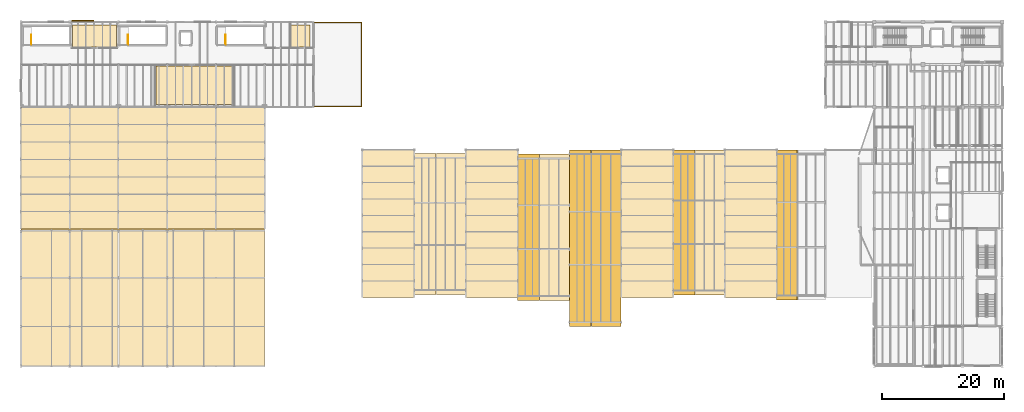
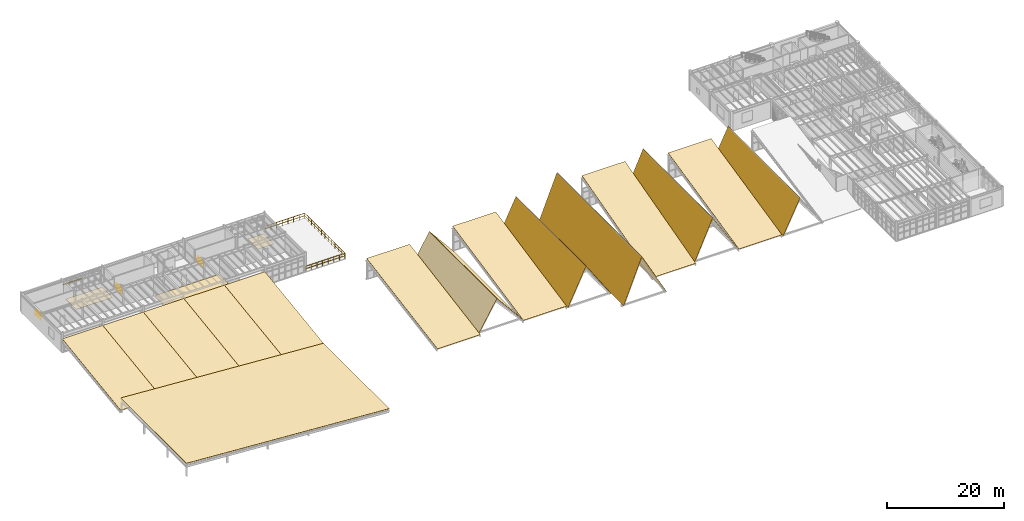
# One storey, part 75 of 77: 22 coverings, 4 railings, 1 shading device.
"""IFC4 building model written with IfcOpenShell, lengths in metres."""

from ifc_helpers import new_model, si_unit, direction, frame, origin, origin_2d, place, context, subcontext, project, spatial, polyline, rectangle, circle, outline, extrude, material, layer, layer_set, type_object, element, save


model = new_model("IFC4")

# Units and contexts
model_context = context("Model", 3, precision=1e-05, world=origin(), true_north=direction((0.0, 1.0)))
body_context = subcontext(model_context, "Body", "Model", "MODEL_VIEW")
ifc_project = project(units=[si_unit("LENGTHUNIT", "METRE"), si_unit("AREAUNIT", "SQUARE_METRE"), si_unit("VOLUMEUNIT", "CUBIC_METRE"), si_unit("PLANEANGLEUNIT", "RADIAN"), si_unit("MASSUNIT", "GRAM", prefix="KILO"), si_unit("THERMODYNAMICTEMPERATUREUNIT", "KELVIN"), si_unit("POWERUNIT", "WATT")], contexts=[model_context])

# Site, building, storey
site_placement = place(None, origin())
site = spatial("IfcSite", under=ifc_project, at=site_placement, CompositionType="ELEMENT")
building_placement = place(site_placement, origin())
building = spatial("IfcBuilding", under=site, at=building_placement, Name="Zhenchuan Central Fire Station", CompositionType="ELEMENT")
storey_placement = place(building_placement, frame((0.0, 0.0, 10.050048828125)))
storey = spatial("IfcBuildingStorey", under=building, at=storey_placement, Name="L03", CompositionType="ELEMENT", Elevation=10.050048828125)

# Coverings
ifc_material_1 = material(Name="Heavy-duty slip-resistant ceramic tile flooring")
ifc_layer_1 = layer(ifc_material_1, 0.014892578125, Name="Heavy-duty slip-resistant ceramic tile flooring")
ifc_layer_set_1 = layer_set([ifc_layer_1], Name="Heavy-duty slip-resistant ceramic tile flooring")
covering_type_1 = type_object("IfcCoveringType", Name="COV-FLR-RES", PredefinedType="FLOORING", material=ifc_layer_set_1)
covering_1_placement = place(storey_placement, origin())
element("IfcCovering", 1, at=covering_1_placement, inside=storey, type_object=covering_type_1, Name="Physical Conditioning Studio Ceramic Tile Flooring", PredefinedType="FLOORING", context=body_context, shape_type="SweptSolid", body=[
    extrude(outline(polyline([(22.14990234375, 42.949951171875), (34.85009765625, 42.949951171875), (34.85009765625, 49.25), (22.14990234375, 49.25), (22.14990234375, 42.949951171875)])), origin(), (0.0, 0.0, 1.0), 0.014892578125),
])
covering_2_placement = place(storey_placement, origin())
element("IfcCovering", 2, at=covering_2_placement, inside=storey, type_object=covering_type_1, Name="Occupational Physiotherapy Room Ceramic Tile Flooring", PredefinedType="FLOORING", context=body_context, shape_type="SweptSolid", body=[
    extrude(outline(polyline([(8.449951171875, 52.35009765625), (15.64990234375, 52.35009765625), (15.64990234375, 55.949951171875), (8.449951171875, 55.949951171875), (8.449951171875, 52.35009765625)])), origin(), (0.0, 0.0, 1.0), 0.014892578125),
])
covering_3_placement = place(storey_placement, origin())
element("IfcCovering", 3, at=covering_3_placement, inside=storey, type_object=covering_type_1, Name="Gym Accessible WC Ceramic Tile Flooring", PredefinedType="FLOORING", context=body_context, shape_type="SweptSolid", body=[
    extrude(outline(polyline([(44.35009765625, 52.35009765625), (47.449951171875, 52.35009765625), (47.449951171875, 55.949951171875), (44.35009765625, 55.949951171875), (44.35009765625, 52.35009765625)])), origin(), (0.0, 0.0, 1.0), 0.014892578125),
])
ifc_material_2 = material(Name="Standing-seam zinc-aluminium roofing", Category="aluminium")
ifc_layer_2 = layer(ifc_material_2, 0.044921875, Name="Standing-seam zinc-aluminium roofing", Category="aluminium")
ifc_layer_set_2 = layer_set([ifc_layer_2], Name="Standing-seam zinc-aluminium roofing")
covering_type_2 = type_object("IfcCoveringType", Name="COV-ROOF", PredefinedType="ROOFING", material=ifc_layer_set_2)
covering_4_placement = place(storey_placement, frame((56.02490234375, 11.300048828125, 0.044921875), z_axis=(0.0, -0.170995930871, 0.985271734917), x_axis=(1.0, 0.0, 0.0)))
element("IfcCovering", 4, at=covering_4_placement, inside=storey, type_object=covering_type_2, Name="Pavilion H01 Standing-Seam Metal Roofing", PredefinedType="ROOFING", context=body_context, shape_type="SweptSolid", body=[
    extrude(outline(polyline([(0.0, 0.0), (8.47509765625, 0.0), (8.47509765625, 24.561702436257722), (0.0, 24.561702436257722), (0.0, 0.0)])), origin(), (0.0, 0.0, -1.0), 0.044921875),
])
covering_5_placement = place(storey_placement, frame((64.5, 11.800048828125, 0.044921875), z_axis=(-0.859378499817, 0.0, 0.511339998487), x_axis=(0.511339998487, 0.0, 0.859378499817)))
element("IfcCovering", 5, at=covering_5_placement, inside=storey, type_object=covering_type_2, Name="Pavilion H02 Standing-Seam Gable Roofing W", PredefinedType="ROOFING", context=body_context, shape_type="SweptSolid", body=[
    extrude(outline(polyline([(0.0, 0.0), (6.981789748381893, 0.0), (6.981789748381893, 23.099853515625), (0.0, 23.099853515625), (0.0, 0.0)])), origin(), (0.0, 0.0, -1.0), 0.044921875),
])
covering_6_placement = place(storey_placement, frame((68.070068359375, 11.800048828125, 6.044921875), z_axis=(0.772640335436, 0.0, 0.634844006081), x_axis=(0.634844006081, 0.0, -0.772640335436)))
element("IfcCovering", 6, at=covering_6_placement, inside=storey, type_object=covering_type_2, Name="Pavilion H02 Standing-Seam Gable Roofing E", PredefinedType="ROOFING", context=body_context, shape_type="SweptSolid", body=[
    extrude(outline(polyline([(0.0, 0.0), (7.765579565057299, 0.0), (7.765579565057299, 23.099853515625), (0.0, 23.099853515625), (0.0, 0.0)])), origin(), (0.0, 0.0, -1.0), 0.044921875),
])
covering_7_placement = place(storey_placement, frame((73.0, 11.300048828125, 0.044921875), z_axis=(0.0, -0.202338357407, 0.979315673888), x_axis=(1.0, 0.0, 0.0)))
element("IfcCovering", 7, at=covering_7_placement, inside=storey, type_object=covering_type_2, Name="Pavilion H03 Standing-Seam Metal Roofing", PredefinedType="ROOFING", context=body_context, shape_type="SweptSolid", body=[
    extrude(outline(polyline([(0.0, 0.0), (8.5, 0.0), (8.5, 24.711083276965706), (0.0, 24.711083276965706), (0.0, 0.0)])), origin(), (0.0, 0.0, -1.0), 0.044921875),
])
covering_8_placement = place(storey_placement, frame((81.5, 10.800048828125, 0.044921875), z_axis=(-0.900666736517, 0.0, 0.434510563429), x_axis=(0.434510563429, 0.0, 0.900666736517)))
element("IfcCovering", 8, at=covering_8_placement, inside=storey, type_object=covering_type_2, Name="Pavilion H04 Standing-Seam Gable Roofing W", PredefinedType="ROOFING", context=body_context, shape_type="SweptSolid", body=[
    extrude(outline(polyline([(0.0, 0.0), (8.216298198143624, 0.0), (8.216298198143624, 24.0), (0.0, 24.0), (0.0, 0.0)])), origin(), (0.0, 0.0, -1.0), 0.044921875),
])
covering_9_placement = place(storey_placement, frame((85.070068359375, 10.800048828125, 7.445068359375), z_axis=(0.832231884583, 0.0, 0.554427714209), x_axis=(0.554427714209, 0.0, -0.832231884583)))
element("IfcCovering", 9, at=covering_9_placement, inside=storey, type_object=covering_type_2, Name="Pavilion H04 Standing-Seam Gable Roofing E", PredefinedType="ROOFING", context=body_context, shape_type="SweptSolid", body=[
    extrude(outline(polyline([(0.0, 0.0), (8.891928585601843, 0.0), (8.891928585601843, 24.0), (0.0, 24.0), (0.0, 0.0)])), origin(), (0.0, 0.0, -1.0), 0.044921875),
])
covering_10_placement = place(storey_placement, frame((90.0, 6.5, 0.044921875), z_axis=(-0.929538867099, 0.0, 0.368724144249), x_axis=(0.368724144249, 0.0, 0.929538867099)))
element("IfcCovering", 10, at=covering_10_placement, inside=storey, type_object=covering_type_2, Name="Pavilion H05 Standing-Seam Gable Roofing W", PredefinedType="ROOFING", context=body_context, shape_type="SweptSolid", body=[
    extrude(outline(polyline([(0.0, 0.0), (9.682220204612706, 0.0), (9.682220204612706, 29.0), (0.0, 29.0), (0.0, 0.0)])), origin(), (0.0, 0.0, -1.0), 0.044921875),
])
covering_11_placement = place(storey_placement, frame((93.570068359375, 6.5, 9.044921875), z_axis=(0.877040420451, 0.0, 0.480416590987), x_axis=(0.480416590987, 0.0, -0.877040420451)))
element("IfcCovering", 11, at=covering_11_placement, inside=storey, type_object=covering_type_2, Name="Pavilion H05 Standing-Seam Gable Roofing E", PredefinedType="ROOFING", context=body_context, shape_type="SweptSolid", body=[
    extrude(outline(polyline([(0.0, 0.0), (10.261784736644767, 0.0), (10.261784736644767, 29.0), (0.0, 29.0), (0.0, 0.0)])), origin(), (0.0, 0.0, -1.0), 0.044921875),
])
covering_12_placement = place(storey_placement, frame((98.5, 11.300048828125, 0.044921875), z_axis=(0.0, -0.263121523591, 0.964762698192), x_axis=(1.0, 0.0, 0.0)))
element("IfcCovering", 12, at=covering_12_placement, inside=storey, type_object=covering_type_2, Name="Pavilion H06 Standing-Seam Metal Roofing", PredefinedType="ROOFING", context=body_context, shape_type="SweptSolid", body=[
    extrude(outline(polyline([(0.0, 0.0), (8.5, 0.0), (8.5, 25.08383793986022), (0.0, 25.08383793986022), (0.0, 0.0)])), origin(), (0.0, 0.0, -1.0), 0.044921875),
])
covering_13_placement = place(storey_placement, frame((107.0, 11.699951171875, 0.044921875), z_axis=(-0.913195670244, 0.0, 0.407521371032), x_axis=(0.407521371032, 0.0, 0.913195670244)))
element("IfcCovering", 13, at=covering_13_placement, inside=storey, type_object=covering_type_2, Name="Pavilion H07 Standing-Seam Gable Roofing W", PredefinedType="ROOFING", context=body_context, shape_type="SweptSolid", body=[
    extrude(outline(polyline([(0.0, 0.0), (8.760444514441632, 0.0), (8.760444514441632, 23.800048828125), (0.0, 23.800048828125), (0.0, 0.0)])), origin(), (0.0, 0.0, -1.0), 0.044921875),
])
covering_14_placement = place(storey_placement, frame((110.570068359375, 11.699951171875, 8.044921875), z_axis=(0.851332558473, 0.0, 0.524626414589), x_axis=(0.524626414589, 0.0, -0.851332558473)))
element("IfcCovering", 14, at=covering_14_placement, inside=storey, type_object=covering_type_2, Name="Pavilion H07 Standing-Seam Gable Roofing E", PredefinedType="ROOFING", context=body_context, shape_type="SweptSolid", body=[
    extrude(outline(polyline([(0.0, 0.0), (9.397032828570703, 0.0), (9.397032828570703, 23.800048828125), (0.0, 23.800048828125), (0.0, 0.0)])), origin(), (0.0, 0.0, -1.0), 0.044921875),
])
covering_15_placement = place(storey_placement, frame((115.5, 11.300048828125, 0.044921875), z_axis=(0.0, -0.217790477543, 0.975995547065), x_axis=(1.0, 0.0, 0.0)))
element("IfcCovering", 15, at=covering_15_placement, inside=storey, type_object=covering_type_2, Name="Pavilion H08 Standing-Seam Metal Roofing", PredefinedType="ROOFING", context=body_context, shape_type="SweptSolid", body=[
    extrude(outline(polyline([(0.0, 0.0), (8.5, 0.0), (8.5, 24.79514506458557), (0.0, 24.79514506458557), (0.0, 0.0)])), origin(), (0.0, 0.0, -1.0), 0.044921875),
])
covering_16_placement = place(storey_placement, frame((124.0, 10.89990234375, 0.044921875), z_axis=(-0.896522353893, 0.0, 0.442998497707), x_axis=(0.442998497707, 0.0, 0.896522353893)))
element("IfcCovering", 16, at=covering_16_placement, inside=storey, type_object=covering_type_2, Name="Pavilion H09 Standing-Seam Gable Roofing W", PredefinedType="ROOFING", context=body_context, shape_type="SweptSolid", body=[
    extrude(outline(polyline([(0.0, 0.0), (7.5849183220008145, 0.0), (7.5849183220008145, 24.60009765625), (0.0, 24.60009765625), (0.0, 0.0)])), origin(), (0.0, 0.0, -1.0), 0.044921875),
])
for number, where, z_axis, x_axis, name in (
    (17, (0.0, 22.5, 0.044921875), (0.0, -0.138650215881, 0.990341414683), (1.0, 0.0, 0.0), "Workshop Sawtooth Roofing 1"),
    (18, (8.0, 22.5, 0.044921875), (0.0, -0.138650215881, 0.990341414683), (1.0, 0.0, 0.0), "Workshop Sawtooth Roofing 2"),
    (19, (16.0, 22.5, 0.044921875), (0.0, -0.138650215881, 0.990341414683), (1.0, 0.0, 0.0), "Workshop Sawtooth Roofing 3"),
    (20, (24.0, 22.5, 0.044921875), (0.0, -0.138650215881, 0.990341414683), (1.0, 0.0, 0.0), "Workshop Sawtooth Roofing 4"),
    (21, (32.0, 22.5, 0.044921875), (0.0, -0.138650215881, 0.990341414683), (1.0, 0.0, 0.0), "Workshop Sawtooth Roofing 5"),
):
    element("IfcCovering", number, at=place(storey_placement, frame(where, z_axis=z_axis, x_axis=x_axis)), inside=storey, type_object=covering_type_2, Name=name, PredefinedType="ROOFING", context=body_context, shape_type="SweptSolid", body=[
        extrude(outline(polyline([(0.0, 0.0), (8.0, 0.0), (8.0, 20.19505566815512), (0.0, 20.19505566815512), (0.0, 0.0)])), origin(), (0.0, 0.0, -1.0), 0.044921875),
    ])
covering_17_placement = place(storey_placement, frame((0.0, 0.0, 2.64501953125), z_axis=(0.064865547097, 0.0, 0.997894012809), x_axis=(0.997894012809, 0.0, -0.064865547097)))
element("IfcCovering", 22, at=covering_17_placement, inside=storey, type_object=covering_type_2, Name="Lecture Pavilion Standing-Seam Roofing", PredefinedType="ROOFING", context=body_context, shape_type="SweptSolid", body=[
    extrude(outline(polyline([(0.0, 0.0), (40.084417269333436, 0.0), (40.084417269333436, 22.5), (0.0, 22.5), (0.0, 0.0)])), origin(), (0.0, 0.0, -1.0), 0.044921875),
])

# Railings
ifc_material_3 = material(Name="Galvanised powder-coated steel", Category="steel")
railing_type_1 = type_object("IfcRailingType", Name="RL-EXT-GRD", PredefinedType="GUARDRAIL", material=ifc_material_3)
railing_placement = place(storey_placement, frame((48.10009765625, 42.6201171875, 0.0)))
element("IfcRailing", 23, at=railing_placement, inside=storey, type_object=railing_type_1, Name="GRD-L03-V3TER", PredefinedType="GUARDRAIL", context=body_context, shape_type="SweptSolid", body=[
    extrude(circle(Radius=0.02392578125, at=origin_2d()), frame((0.0, 0.0, 1.076171875), z_axis=(1.0, 0.0, 0.0), x_axis=(0.0, 1.0, 0.0)), (0.0, 0.0, 1.0), 7.77978515625),
    extrude(circle(Radius=0.02392578125, at=origin_2d()), frame((0.0, 0.0, 0.550048828125), z_axis=(1.0, 0.0, 0.0), x_axis=(0.0, 1.0, 0.0)), (0.0, 0.0, 1.0), 7.77978515625),
    extrude(circle(Radius=0.02392578125, at=origin_2d()), frame((7.77978515625, 0.0, 1.076171875), z_axis=(0.0, 1.0, 0.0), x_axis=(-1.0, 0.0, 0.0)), (0.0, 0.0, 1.0), 13.759765625),
    extrude(circle(Radius=0.02392578125, at=origin_2d()), frame((7.77978515625, 0.0, 0.550048828125), z_axis=(0.0, 1.0, 0.0), x_axis=(-1.0, 0.0, 0.0)), (0.0, 0.0, 1.0), 13.759765625),
    extrude(circle(Radius=0.02392578125, at=origin_2d()), frame((7.77978515625, 13.759765625, 1.076171875), z_axis=(-1.0, 0.0, 0.0), x_axis=(0.0, -1.0, 0.0)), (0.0, 0.0, 1.0), 7.77978515625),
    extrude(circle(Radius=0.02392578125, at=origin_2d()), frame((7.77978515625, 13.759765625, 0.550048828125), z_axis=(-1.0, 0.0, 0.0), x_axis=(0.0, -1.0, 0.0)), (0.0, 0.0, 1.0), 7.77978515625),
    extrude(circle(Radius=0.02099609375, at=origin_2d()), origin(), (0.0, 0.0, 1.0), 1.052001953125),
    extrude(circle(Radius=0.02099609375, at=origin_2d()), frame((1.111328125, 0.0, 0.0)), (0.0, 0.0, 1.0), 1.052001953125),
    extrude(circle(Radius=0.02099609375, at=origin_2d()), frame((2.222900390625, 0.0, 0.0)), (0.0, 0.0, 1.0), 1.052001953125),
    extrude(circle(Radius=0.02099609375, at=origin_2d()), frame((3.334228515625, 0.0, 0.0)), (0.0, 0.0, 1.0), 1.052001953125),
    extrude(circle(Radius=0.02099609375, at=origin_2d()), frame((4.445556640625, 0.0, 0.0)), (0.0, 0.0, 1.0), 1.052001953125),
    extrude(circle(Radius=0.02099609375, at=origin_2d()), frame((5.556884765625, 0.0, 0.0)), (0.0, 0.0, 1.0), 1.052001953125),
    extrude(circle(Radius=0.02099609375, at=origin_2d()), frame((6.66845703125, 0.0, 0.0)), (0.0, 0.0, 1.0), 1.052001953125),
    extrude(circle(Radius=0.02099609375, at=origin_2d()), frame((7.77978515625, 0.0, 0.0)), (0.0, 0.0, 1.0), 1.052001953125),
    extrude(circle(Radius=0.02099609375, at=origin_2d()), frame((7.77978515625, 1.146728515625, 0.0)), (0.0, 0.0, 1.0), 1.052001953125),
    extrude(circle(Radius=0.02099609375, at=origin_2d()), frame((7.77978515625, 2.293212890625, 0.0)), (0.0, 0.0, 1.0), 1.052001953125),
    extrude(circle(Radius=0.02099609375, at=origin_2d()), frame((7.77978515625, 3.43994140625, 0.0)), (0.0, 0.0, 1.0), 1.052001953125),
    extrude(circle(Radius=0.02099609375, at=origin_2d()), frame((7.77978515625, 4.586669921875, 0.0)), (0.0, 0.0, 1.0), 1.052001953125),
    extrude(circle(Radius=0.02099609375, at=origin_2d()), frame((7.77978515625, 5.733154296875, 0.0)), (0.0, 0.0, 1.0), 1.052001953125),
    extrude(circle(Radius=0.02099609375, at=origin_2d()), frame((7.77978515625, 6.8798828125, 0.0)), (0.0, 0.0, 1.0), 1.052001953125),
    extrude(circle(Radius=0.02099609375, at=origin_2d()), frame((7.77978515625, 8.026611328125, 0.0)), (0.0, 0.0, 1.0), 1.052001953125),
    extrude(circle(Radius=0.02099609375, at=origin_2d()), frame((7.77978515625, 9.173095703125, 0.0)), (0.0, 0.0, 1.0), 1.052001953125),
    extrude(circle(Radius=0.02099609375, at=origin_2d()), frame((7.77978515625, 10.31982421875, 0.0)), (0.0, 0.0, 1.0), 1.052001953125),
    extrude(circle(Radius=0.02099609375, at=origin_2d()), frame((7.77978515625, 11.466552734375, 0.0)), (0.0, 0.0, 1.0), 1.052001953125),
    extrude(circle(Radius=0.02099609375, at=origin_2d()), frame((7.77978515625, 12.613037109375, 0.0)), (0.0, 0.0, 1.0), 1.052001953125),
    extrude(circle(Radius=0.02099609375, at=origin_2d()), frame((7.77978515625, 13.759765625, 0.0)), (0.0, 0.0, 1.0), 1.052001953125),
    extrude(circle(Radius=0.02099609375, at=origin_2d()), frame((6.66845703125, 13.759765625, 0.0)), (0.0, 0.0, 1.0), 1.052001953125),
    extrude(circle(Radius=0.02099609375, at=origin_2d()), frame((5.556884765625, 13.759765625, 0.0)), (0.0, 0.0, 1.0), 1.052001953125),
    extrude(circle(Radius=0.02099609375, at=origin_2d()), frame((4.445556640625, 13.759765625, 0.0)), (0.0, 0.0, 1.0), 1.052001953125),
    extrude(circle(Radius=0.02099609375, at=origin_2d()), frame((3.334228515625, 13.759765625, 0.0)), (0.0, 0.0, 1.0), 1.052001953125),
    extrude(circle(Radius=0.02099609375, at=origin_2d()), frame((2.222900390625, 13.759765625, 0.0)), (0.0, 0.0, 1.0), 1.052001953125),
    extrude(circle(Radius=0.02099609375, at=origin_2d()), frame((1.111328125, 13.759765625, 0.0)), (0.0, 0.0, 1.0), 1.052001953125),
    extrude(circle(Radius=0.02099609375, at=origin_2d()), frame((0.0, 13.759765625, 0.0)), (0.0, 0.0, 1.0), 1.052001953125),
])
railing_type_2 = type_object("IfcRailingType", Name="RL-ST-GRD", PredefinedType="GUARDRAIL", material=ifc_material_3)
for number, where, name in (
    (24, (1.699951171875, 52.800048828125, 0.0), "L03 ST-05 top well guard 1"),
    (25, (17.570068359375, 52.800048828125, 0.0), "L03 ST-06 top well guard 1"),
    (26, (33.570068359375, 52.800048828125, 0.0), "L03 ST-07 top well guard 1"),
):
    element("IfcRailing", number, at=place(storey_placement, frame(where)), inside=storey, type_object=railing_type_2, Name=name, PredefinedType="GUARDRAIL", context=body_context, shape_type="SweptSolid", body=[
        extrude(circle(Radius=0.02392578125, at=origin_2d()), frame((0.0, 0.0, 1.076171875), z_axis=(0.0, 1.0, 0.0), x_axis=(-1.0, 0.0, 0.0)), (0.0, 0.0, 1.0), 1.550048828125),
        extrude(circle(Radius=0.02392578125, at=origin_2d()), frame((0.0, 0.0, 0.550048828125), z_axis=(0.0, 1.0, 0.0), x_axis=(-1.0, 0.0, 0.0)), (0.0, 0.0, 1.0), 1.550048828125),
        extrude(circle(Radius=0.02099609375, at=origin_2d()), origin(), (0.0, 0.0, 1.0), 1.052001953125),
        extrude(circle(Radius=0.02099609375, at=origin_2d()), frame((0.0, 0.77490234375, 0.0)), (0.0, 0.0, 1.0), 1.052001953125),
        extrude(circle(Radius=0.02099609375, at=origin_2d()), frame((0.0, 1.550048828125, 0.0)), (0.0, 0.0, 1.0), 1.052001953125),
    ])

# Shading device
ifc_material_4 = material(Name="Anodised aluminium EN AW-6063", Category="aluminium")
ifc_layer_3 = layer(ifc_material_4, 0.0400390625, Name="Anodised aluminium EN AW-6063", Category="aluminium")
ifc_layer_set_3 = layer_set([ifc_layer_3], Name="Anodised aluminium EN AW-6063")
shading_device_type = type_object("IfcShadingDeviceType", Name="SHD-ALU-FIN", PredefinedType="JALOUSIE", material=ifc_layer_set_3)
shading_device_placement = place(storey_placement, frame((10.131103515625, 56.638427734375, 2.62939453125), z_axis=(0.0, 0.0, 1.0), x_axis=(1.0, 0.0, 0.0)))
element("IfcShadingDevice", 27, at=shading_device_placement, inside=storey, type_object=shading_device_type, Name="Perforated Aluminium Sun-Shading Louvre 007", PredefinedType="JALOUSIE", context=body_context, shape_type="SweptSolid", body=[
    extrude(rectangle(XDim=3.6220703125, YDim=0.219970703125, at=origin_2d()), origin(), (0.0, 0.0, 1.0), 0.044921875),
])

save(model, "model.ifc")
